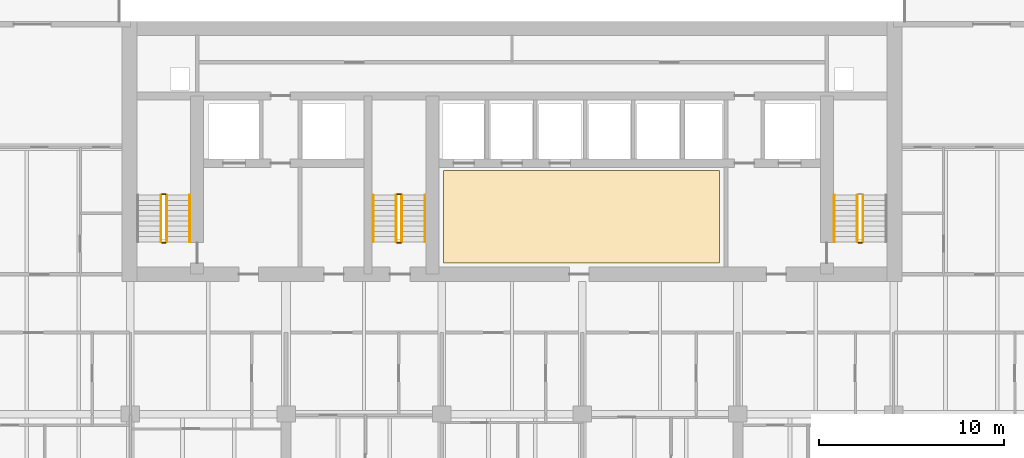
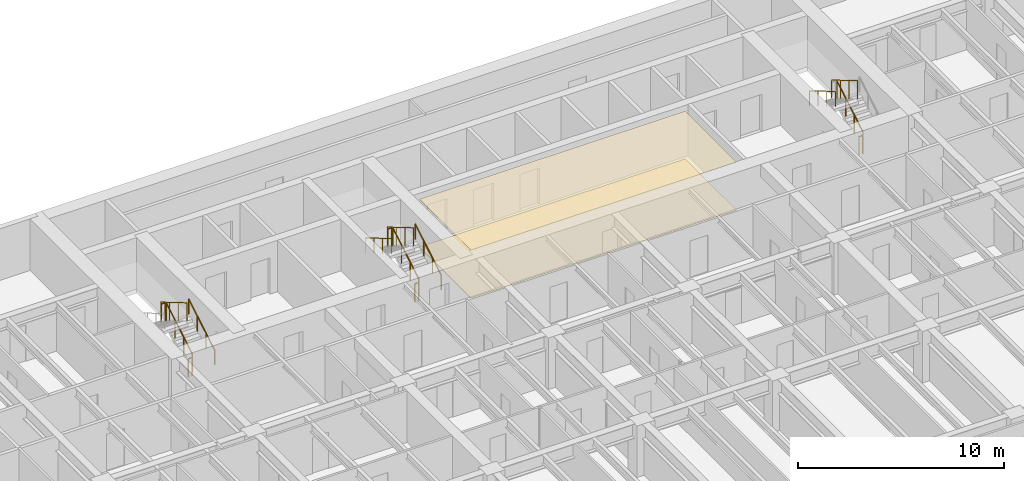
# One storey, part 17 of 19: 15 railings, 2 coverings.
"""IFC4 building model written with IfcOpenShell, lengths in metres."""

import ifcopenshell
import ifcopenshell.guid

model = None  # the IFC model being written
_history = None  # IfcOwnerHistory: only IFC2X3 demands one
_inside = {}  # id of a spatial element -> (the spatial element, [elements in it])
_under = {}  # id of a project, library or spatial element -> (it, [spatial elements below it])
_declared = {}  # id of a project -> (the project, [libraries it declares])
_typed = {}  # id of a type object -> (the type object, [elements of that type])
_made_of = {}  # id of a material, layer set ... -> (it, [elements and type objects made of it])


def new_model(schema):
    """Start an empty IFC model of exactly this schema.

    Asked for "IFC4X3", IfcOpenShell would pick the latest addendum, in which some entities
    have other attributes; the version numbers below select the first issue.
    IFC2X3 requires an IfcOwnerHistory on every rooted entity: one is made here for all.
    """
    global model, _history
    if schema == "IFC4X3":
        model = ifcopenshell.file(schema_version=(4, 3, 0, 0))
    else:
        model = ifcopenshell.file(schema=schema)
    _inside.clear()
    _under.clear()
    _declared.clear()
    _typed.clear()
    _made_of.clear()
    _history = None
    if model.schema == "IFC2X3":
        org = make("IfcOrganization", Name="unknown")
        user = make(
            "IfcPersonAndOrganization",
            ThePerson=make("IfcPerson", FamilyName="unknown"),
            TheOrganization=org,
        )
        app = make(
            "IfcApplication",
            ApplicationDeveloper=org,
            Version="unknown",
            ApplicationFullName="unknown",
            ApplicationIdentifier="unknown",
        )
        _history = make(
            "IfcOwnerHistory",
            OwningUser=user,
            OwningApplication=app,
            ChangeAction="ADDED",
            CreationDate=0,
        )
    return model


def make(cls, **values):
    """One entity of the class cls with the attributes given. An attribute that is None is left unset."""
    return model.create_entity(
        cls, **{name: value for name, value in values.items() if value is not None}
    )


def rooted(cls, **values):
    """An entity with a GlobalId (a new one), such as an element, a storey or a relation."""
    return make(cls, GlobalId=ifcopenshell.guid.new(), OwnerHistory=_history, **values)


def si_unit(unit_type, name, prefix=None):
    """IfcSIUnit, for example si_unit("LENGTHUNIT", "METRE", prefix="MILLI")."""
    return make("IfcSIUnit", UnitType=unit_type, Prefix=prefix, Name=name)


def assignment(units):
    """IfcUnitAssignment: the units of a project."""
    return None if units is None else make("IfcUnitAssignment", Units=units)


def point(xyz):
    """IfcCartesianPoint."""
    return None if xyz is None else make("IfcCartesianPoint", Coordinates=xyz)


def direction(xyz):
    """IfcDirection."""
    return None if xyz is None else make("IfcDirection", DirectionRatios=xyz)


def frame(location, z_axis=None, x_axis=None):
    """IfcAxis2Placement3D, a coordinate frame: its origin and axes. An axis left out is left unset."""
    return make(
        "IfcAxis2Placement3D",
        Location=point(location),
        Axis=direction(z_axis),
        RefDirection=direction(x_axis),
    )


def frame_2d(location, x_axis=None):
    """IfcAxis2Placement2D, a coordinate frame in the plane: its origin and x axis."""
    return make(
        "IfcAxis2Placement2D", Location=point(location), RefDirection=direction(x_axis)
    )


def origin():
    """The frame at (0, 0, 0) with its axes left unset."""
    return frame((0.0, 0.0, 0.0))


def origin_2d():
    """The frame at (0, 0) in the plane with its x axis left unset."""
    return frame_2d((0.0, 0.0))


def place(relative_to, where):
    """IfcLocalPlacement: puts the frame where relative to a parent placement (None: the world)."""
    return make(
        "IfcLocalPlacement", PlacementRelTo=relative_to, RelativePlacement=where
    )


def context(
    kind, dimensions, precision=None, world=None, true_north=None, identifier=None
):
    """IfcGeometricRepresentationContext, for example the 3D "Model" context."""
    return make(
        "IfcGeometricRepresentationContext",
        ContextIdentifier=identifier,
        ContextType=kind,
        CoordinateSpaceDimension=dimensions,
        Precision=precision,
        WorldCoordinateSystem=world,
        TrueNorth=true_north,
    )


def subcontext(parent, identifier, kind, view, scale=None):
    """IfcGeometricRepresentationSubContext, for example "Body" below "Model"."""
    return make(
        "IfcGeometricRepresentationSubContext",
        ContextIdentifier=identifier,
        ContextType=kind,
        ParentContext=parent,
        TargetScale=scale,
        TargetView=view,
    )


def project(units=None, contexts=None):
    """IfcProject with its units and contexts."""
    return rooted(
        "IfcProject",
        Name="project",
        RepresentationContexts=contexts,
        UnitsInContext=assignment(units),
    )


def spatial(cls, under=None, at=None, **own):
    """A site, building, storey or space (cls), placed at a placement, below another one or the project."""
    s = rooted(cls, ObjectPlacement=at, **own)
    if under is not None:
        _under.setdefault(under.id(), (under, []))[1].append(s)
    return s


def polyline(points):
    """IfcPolyline through the points."""
    return make("IfcPolyline", Points=[point(p) for p in points])


def profile(cls, at=None, kind="AREA", **sizes):
    """A parametric profile (cls). Its sizes go by their IFC names, for example OverallWidth=200.0."""
    return make(cls, ProfileType=kind, Position=at, **sizes)


def circle(**sizes):
    """IfcCircleProfileDef."""
    return profile("IfcCircleProfileDef", **sizes)


def outline(outer, holes=None, kind="AREA"):
    """IfcArbitraryClosedProfileDef: a profile drawn as a closed curve; with holes, ...WithVoids."""
    if holes is None:
        return make("IfcArbitraryClosedProfileDef", ProfileType=kind, OuterCurve=outer)
    return make(
        "IfcArbitraryProfileDefWithVoids",
        ProfileType=kind,
        OuterCurve=outer,
        InnerCurves=holes,
    )


def extrude(swept, where, along, depth):
    """IfcExtrudedAreaSolid: the profile swept, set in the frame where, extruded along a direction by depth."""
    return make(
        "IfcExtrudedAreaSolid",
        SweptArea=swept,
        Position=where,
        ExtrudedDirection=direction(along),
        Depth=depth,
    )


def shape(context_of_items, identifier, shape_type, items):
    """IfcShapeRepresentation: the items that make up one representation, for example the "Body"."""
    return make(
        "IfcShapeRepresentation",
        ContextOfItems=context_of_items,
        RepresentationIdentifier=identifier,
        RepresentationType=shape_type,
        Items=items,
    )


def material(Name=None, Category=None):
    """IfcMaterial."""
    return make("IfcMaterial", Name=Name, Category=Category)


def layer(
    of_material, thickness, ventilated=None, Name=None, Category=None, Priority=None
):
    """IfcMaterialLayer: one layer of a wall or slab, of a material (None: an air gap)."""
    return make(
        "IfcMaterialLayer",
        Material=of_material,
        LayerThickness=thickness,
        IsVentilated=ventilated,
        Name=Name,
        Category=Category,
        Priority=Priority,
    )


def layer_set(layers, Name=None):
    """IfcMaterialLayerSet."""
    return make("IfcMaterialLayerSet", MaterialLayers=layers, LayerSetName=Name)


def made_of(thing, what):
    """Note that an element or type object is made of a material, layer set ...; save() writes the relation."""
    if what is not None:
        _made_of.setdefault(what.id(), (what, []))[1].append(thing)
    return thing


def type_object(cls, material=None, **own):
    """A type object (cls), such as IfcWallType, which elements share."""
    return made_of(rooted(cls, **own), material)


def element(
    cls,
    number,
    at=None,
    inside=None,
    cuts=None,
    type_object=None,
    material=None,
    context=None,
    identifier="Body",
    shape_type=None,
    held_by="IfcProductDefinitionShape",
    body=None,
    shapes=None,
    **own,
):
    """One element of the class cls, such as IfcWall. Its Tag is "e" and its number.

    at: its placement. inside: the storey or other place that contains it. cuts: it is an
    opening in that element (IfcRelVoidsElement). A single representation is given by context,
    identifier, shape_type and body (its items); several are given by shapes. held_by: the class
    of the entity that holds the representations. save() writes the other relations.
    """
    e = rooted(cls, Tag="e%d" % number, ObjectPlacement=at, **own)
    if body is not None:
        shapes = [shape(context, identifier, shape_type, body)]
    if shapes is not None:
        e.Representation = make(held_by, Representations=shapes)
    if inside is not None:
        _inside.setdefault(inside.id(), (inside, []))[1].append(e)
    if cuts is not None:
        rooted(
            "IfcRelVoidsElement", RelatingBuildingElement=cuts, RelatedOpeningElement=e
        )
    if type_object is not None:
        _typed.setdefault(type_object.id(), (type_object, []))[1].append(e)
    return made_of(e, material)


def aggregate(whole, parts):
    """IfcRelAggregates: a whole, such as a stair, and the parts it consists of."""
    return rooted("IfcRelAggregates", RelatingObject=whole, RelatedObjects=parts)


def save(model, path):
    """Write the relations noted so far, then the file.

    IfcRelAggregates (storeys below a building ...), IfcRelContainedInSpatialStructure (elements
    in a storey), IfcRelDefinesByType, IfcRelAssociatesMaterial and IfcRelDeclares: one each for
    every whole, place, type object, material and project.
    """
    for whole, parts in _under.values():
        aggregate(whole, parts)
    for where, things in _inside.values():
        rooted(
            "IfcRelContainedInSpatialStructure",
            RelatedElements=things,
            RelatingStructure=where,
        )
    for kind, things in _typed.values():
        rooted("IfcRelDefinesByType", RelatedObjects=things, RelatingType=kind)
    for what, things in _made_of.values():
        rooted("IfcRelAssociatesMaterial", RelatedObjects=things, RelatingMaterial=what)
    for by, libraries in _declared.values():
        rooted("IfcRelDeclares", RelatingContext=by, RelatedDefinitions=libraries)
    model.write(path)


model = new_model("IFC4")

# Units and contexts
model_context = context("Model", 3, precision=1e-05, world=origin(), true_north=direction((0.0, 1.0)))
body_context = subcontext(model_context, "Body", "Model", "MODEL_VIEW")
ifc_project = project(units=[si_unit("LENGTHUNIT", "METRE"), si_unit("AREAUNIT", "SQUARE_METRE"), si_unit("VOLUMEUNIT", "CUBIC_METRE"), si_unit("PLANEANGLEUNIT", "RADIAN"), si_unit("MASSUNIT", "GRAM", prefix="KILO")], contexts=[model_context])

# Site, building, storey
site_placement = place(None, origin())
site = spatial("IfcSite", under=ifc_project, at=site_placement, CompositionType="ELEMENT")
building_placement = place(site_placement, origin())
building = spatial("IfcBuilding", under=site, at=building_placement, Name="Caelmar Bay Residences", CompositionType="ELEMENT")
storey_placement = place(building_placement, frame((0.0, 0.0, 91.199951171875)))
storey = spatial("IfcBuildingStorey", under=building, at=storey_placement, Name="L24", CompositionType="ELEMENT", Elevation=91.199951171875)

# Coverings
ifc_material_1 = material(Name="Perforated acoustic gypsum-mineral ceiling tile 20 mm")
ifc_layer_1 = layer(ifc_material_1, 0.02001953125)
ifc_layer_set_1 = layer_set([ifc_layer_1], Name="Perforated acoustic gypsum-mineral ceiling tile 20 mm")
covering_type_1 = type_object("IfcCoveringType", Name="COV-CEIL-20", PredefinedType="CEILING", material=ifc_layer_set_1)
covering_1_placement = place(storey_placement, frame((0.0, 0.0, 2.830078125)))
element("IfcCovering", 1, at=covering_1_placement, inside=storey, type_object=covering_type_1, Name="L24 Lift Lobby Acoustic Ceiling", PredefinedType="CEILING", context=body_context, shape_type="SweptSolid", body=[
    extrude(outline(polyline([(35.199951171875, 37.550048828125), (50.10009765625, 37.550048828125), (50.10009765625, 42.550048828125), (35.199951171875, 42.550048828125), (35.199951171875, 37.550048828125)])), origin(), (0.0, 0.0, 1.0), 0.02001953125),
])
ifc_material_2 = material(Name="Honed terrazzo and engineered white-oak flooring 20 mm")
ifc_layer_2 = layer(ifc_material_2, 0.02001953125)
ifc_layer_set_2 = layer_set([ifc_layer_2], Name="Honed terrazzo and engineered white-oak flooring 20 mm")
covering_type_2 = type_object("IfcCoveringType", Name="COV-FLR-20", PredefinedType="FLOORING", material=ifc_layer_set_2)
covering_2_placement = place(storey_placement, origin())
element("IfcCovering", 2, at=covering_2_placement, inside=storey, type_object=covering_type_2, Name="L24 Lift Lobby Terrazzo Flooring", PredefinedType="FLOORING", context=body_context, shape_type="SweptSolid", body=[
    extrude(outline(polyline([(35.199951171875, 37.550048828125), (50.10009765625, 37.550048828125), (50.10009765625, 42.550048828125), (35.199951171875, 42.550048828125), (35.199951171875, 37.550048828125)])), origin(), (0.0, 0.0, 1.0), 0.02001953125),
])

# Railings
ifc_material_3 = material(Name="Painted galvanized steel stair guard 1100 mm", Category="steel")
railing_type_1 = type_object("IfcRailingType", Name="RL-GRD-1100", PredefinedType="GUARDRAIL", material=ifc_material_3)
railing_1_placement = place(storey_placement, frame((20.25, 38.699951171875, 0.1650390625)))
element("IfcRailing", 3, at=railing_1_placement, inside=storey, type_object=railing_type_1, Name="L24 ST1 stair guard 1", PredefinedType="GUARDRAIL", context=body_context, shape_type="SweptSolid", body=[
    extrude(circle(Radius=0.02392578125, at=origin_2d()), frame((0.0, 0.0, 1.076171875), z_axis=(0.0, 0.86152411907, 0.507716645641), x_axis=(-1.0, 0.0, 0.0)), (0.0, 0.0, 1.0), 2.925048828125),
    extrude(circle(Radius=0.02099609375, at=origin_2d()), origin(), (0.0, 0.0, 1.0), 1.052001953125),
    extrude(circle(Radius=0.02099609375, at=origin_2d()), frame((0.0, 0.840087890625, 0.4951171875)), (0.0, 0.0, 1.0), 1.052001953125),
    extrude(circle(Radius=0.02099609375, at=origin_2d()), frame((0.0, 1.679931640625, 0.989990234375)), (0.0, 0.0, 1.0), 1.052001953125),
    extrude(circle(Radius=0.02099609375, at=origin_2d()), frame((0.0, 2.52001953125, 1.485107421875)), (0.0, 0.0, 1.0), 1.052001953125),
])
railing_2_placement = place(storey_placement, frame((20.199951171875, 41.27001953125, 1.650146484375)))
element("IfcRailing", 4, at=railing_2_placement, inside=storey, type_object=railing_type_1, Name="L24 ST1 stair guard 2", PredefinedType="GUARDRAIL", context=body_context, shape_type="SweptSolid", body=[
    extrude(circle(Radius=0.02392578125, at=origin_2d()), frame((0.0, 0.0, 1.076171875), z_axis=(-1.0, 0.0, 0.0), x_axis=(0.0, -1.0, 0.0)), (0.0, 0.0, 1.0), 0.199951171875),
    extrude(circle(Radius=0.02099609375, at=origin_2d()), origin(), (0.0, 0.0, 1.0), 1.052001953125),
    extrude(circle(Radius=0.02099609375, at=origin_2d()), frame((-0.199951171875, 0.0, 0.0)), (0.0, 0.0, 1.0), 1.052001953125),
])
railing_3_placement = place(storey_placement, frame((19.949951171875, 41.219970703125, 1.81494140625)))
element("IfcRailing", 5, at=railing_3_placement, inside=storey, type_object=railing_type_1, Name="L24 ST1 stair guard 3", PredefinedType="GUARDRAIL", context=body_context, shape_type="SweptSolid", body=[
    extrude(circle(Radius=0.02392578125, at=origin_2d()), frame((0.0, 0.0, 1.076171875), z_axis=(0.0, -0.86152411907, 0.507716645641), x_axis=(1.0, 0.0, 0.0)), (0.0, 0.0, 1.0), 2.925048828125),
    extrude(circle(Radius=0.02099609375, at=origin_2d()), origin(), (0.0, 0.0, 1.0), 1.052001953125),
    extrude(circle(Radius=0.02099609375, at=origin_2d()), frame((0.0, -0.840087890625, 0.4951171875)), (0.0, 0.0, 1.0), 1.052001953125),
    extrude(circle(Radius=0.02099609375, at=origin_2d()), frame((0.0, -1.679931640625, 0.989990234375)), (0.0, 0.0, 1.0), 1.052001953125),
    extrude(circle(Radius=0.02099609375, at=origin_2d()), frame((0.0, -2.52001953125, 1.485107421875)), (0.0, 0.0, 1.0), 1.052001953125),
])
railing_4_placement = place(storey_placement, frame((20.199951171875, 38.64990234375, 0.0)))
element("IfcRailing", 6, at=railing_4_placement, inside=storey, type_object=railing_type_1, Name="L24 ST1 stair guard 4", PredefinedType="GUARDRAIL", context=body_context, shape_type="SweptSolid", body=[
    extrude(circle(Radius=0.02392578125, at=origin_2d()), frame((0.0, 0.0, 1.076171875), z_axis=(-1.0, 0.0, 0.0), x_axis=(0.0, -1.0, 0.0)), (0.0, 0.0, 1.0), 0.199951171875),
    extrude(circle(Radius=0.02099609375, at=origin_2d()), origin(), (0.0, 0.0, 1.0), 1.052001953125),
    extrude(circle(Radius=0.02099609375, at=origin_2d()), frame((-0.199951171875, 0.0, 0.0)), (0.0, 0.0, 1.0), 1.052001953125),
])
railing_5_placement = place(storey_placement, frame((57.85009765625, 38.699951171875, 0.1650390625)))
element("IfcRailing", 7, at=railing_5_placement, inside=storey, type_object=railing_type_1, Name="L24 ST2 stair guard 1", PredefinedType="GUARDRAIL", context=body_context, shape_type="SweptSolid", body=[
    extrude(circle(Radius=0.02392578125, at=origin_2d()), frame((0.0, 0.0, 1.076171875), z_axis=(0.0, 0.86152411907, 0.507716645641), x_axis=(-1.0, 0.0, 0.0)), (0.0, 0.0, 1.0), 2.925048828125),
    extrude(circle(Radius=0.02099609375, at=origin_2d()), origin(), (0.0, 0.0, 1.0), 1.052001953125),
    extrude(circle(Radius=0.02099609375, at=origin_2d()), frame((0.0, 0.840087890625, 0.4951171875)), (0.0, 0.0, 1.0), 1.052001953125),
    extrude(circle(Radius=0.02099609375, at=origin_2d()), frame((0.0, 1.679931640625, 0.989990234375)), (0.0, 0.0, 1.0), 1.052001953125),
    extrude(circle(Radius=0.02099609375, at=origin_2d()), frame((0.0, 2.52001953125, 1.485107421875)), (0.0, 0.0, 1.0), 1.052001953125),
])
railing_6_placement = place(storey_placement, frame((57.550048828125, 41.219970703125, 1.81494140625)))
element("IfcRailing", 8, at=railing_6_placement, inside=storey, type_object=railing_type_1, Name="L24 ST2 stair guard 3", PredefinedType="GUARDRAIL", context=body_context, shape_type="SweptSolid", body=[
    extrude(circle(Radius=0.02392578125, at=origin_2d()), frame((0.0, 0.0, 1.076171875), z_axis=(0.0, -0.86152411907, 0.507716645641), x_axis=(1.0, 0.0, 0.0)), (0.0, 0.0, 1.0), 2.925048828125),
    extrude(circle(Radius=0.02099609375, at=origin_2d()), origin(), (0.0, 0.0, 1.0), 1.052001953125),
    extrude(circle(Radius=0.02099609375, at=origin_2d()), frame((0.0, -0.840087890625, 0.4951171875)), (0.0, 0.0, 1.0), 1.052001953125),
    extrude(circle(Radius=0.02099609375, at=origin_2d()), frame((0.0, -1.679931640625, 0.989990234375)), (0.0, 0.0, 1.0), 1.052001953125),
    extrude(circle(Radius=0.02099609375, at=origin_2d()), frame((0.0, -2.52001953125, 1.485107421875)), (0.0, 0.0, 1.0), 1.052001953125),
])
railing_7_placement = place(storey_placement, frame((57.800048828125, 38.64990234375, 0.0)))
element("IfcRailing", 9, at=railing_7_placement, inside=storey, type_object=railing_type_1, Name="L24 ST2 stair guard 4", PredefinedType="GUARDRAIL", context=body_context, shape_type="SweptSolid", body=[
    extrude(circle(Radius=0.02392578125, at=origin_2d()), frame((0.0, 0.0, 1.076171875), z_axis=(-1.0, 0.0, 0.0), x_axis=(0.0, -1.0, 0.0)), (0.0, 0.0, 1.0), 0.199951171875),
    extrude(circle(Radius=0.02099609375, at=origin_2d()), origin(), (0.0, 0.0, 1.0), 1.052001953125),
    extrude(circle(Radius=0.02099609375, at=origin_2d()), frame((-0.199951171875, 0.0, 0.0)), (0.0, 0.0, 1.0), 1.052001953125),
])
railing_8_placement = place(storey_placement, frame((32.949951171875, 38.699951171875, 0.1650390625)))
element("IfcRailing", 10, at=railing_8_placement, inside=storey, type_object=railing_type_1, Name="L24 ST3 stair guard 1", PredefinedType="GUARDRAIL", context=body_context, shape_type="SweptSolid", body=[
    extrude(circle(Radius=0.02392578125, at=origin_2d()), frame((0.0, 0.0, 1.076171875), z_axis=(0.0, 0.86152411907, 0.507716645641), x_axis=(-1.0, 0.0, 0.0)), (0.0, 0.0, 1.0), 2.925048828125),
    extrude(circle(Radius=0.02099609375, at=origin_2d()), origin(), (0.0, 0.0, 1.0), 1.052001953125),
    extrude(circle(Radius=0.02099609375, at=origin_2d()), frame((0.0, 0.840087890625, 0.4951171875)), (0.0, 0.0, 1.0), 1.052001953125),
    extrude(circle(Radius=0.02099609375, at=origin_2d()), frame((0.0, 1.679931640625, 0.989990234375)), (0.0, 0.0, 1.0), 1.052001953125),
    extrude(circle(Radius=0.02099609375, at=origin_2d()), frame((0.0, 2.52001953125, 1.485107421875)), (0.0, 0.0, 1.0), 1.052001953125),
])
railing_9_placement = place(storey_placement, frame((32.89990234375, 41.27001953125, 1.650146484375)))
element("IfcRailing", 11, at=railing_9_placement, inside=storey, type_object=railing_type_1, Name="L24 ST3 stair guard 2", PredefinedType="GUARDRAIL", context=body_context, shape_type="SweptSolid", body=[
    extrude(circle(Radius=0.02392578125, at=origin_2d()), frame((0.0, 0.0, 1.076171875), z_axis=(-1.0, 0.0, 0.0), x_axis=(0.0, -1.0, 0.0)), (0.0, 0.0, 1.0), 0.199951171875),
    extrude(circle(Radius=0.02099609375, at=origin_2d()), origin(), (0.0, 0.0, 1.0), 1.052001953125),
    extrude(circle(Radius=0.02099609375, at=origin_2d()), frame((-0.199951171875, 0.0, 0.0)), (0.0, 0.0, 1.0), 1.052001953125),
])
railing_10_placement = place(storey_placement, frame((32.64990234375, 41.219970703125, 1.81494140625)))
element("IfcRailing", 12, at=railing_10_placement, inside=storey, type_object=railing_type_1, Name="L24 ST3 stair guard 3", PredefinedType="GUARDRAIL", context=body_context, shape_type="SweptSolid", body=[
    extrude(circle(Radius=0.02392578125, at=origin_2d()), frame((0.0, 0.0, 1.076171875), z_axis=(0.0, -0.86152411907, 0.507716645641), x_axis=(1.0, 0.0, 0.0)), (0.0, 0.0, 1.0), 2.925048828125),
    extrude(circle(Radius=0.02099609375, at=origin_2d()), origin(), (0.0, 0.0, 1.0), 1.052001953125),
    extrude(circle(Radius=0.02099609375, at=origin_2d()), frame((0.0, -0.840087890625, 0.4951171875)), (0.0, 0.0, 1.0), 1.052001953125),
    extrude(circle(Radius=0.02099609375, at=origin_2d()), frame((0.0, -1.679931640625, 0.989990234375)), (0.0, 0.0, 1.0), 1.052001953125),
    extrude(circle(Radius=0.02099609375, at=origin_2d()), frame((0.0, -2.52001953125, 1.485107421875)), (0.0, 0.0, 1.0), 1.052001953125),
])
railing_11_placement = place(storey_placement, frame((32.89990234375, 38.64990234375, 0.0)))
element("IfcRailing", 13, at=railing_11_placement, inside=storey, type_object=railing_type_1, Name="L24 ST3 stair guard 4", PredefinedType="GUARDRAIL", context=body_context, shape_type="SweptSolid", body=[
    extrude(circle(Radius=0.02392578125, at=origin_2d()), frame((0.0, 0.0, 1.076171875), z_axis=(-1.0, 0.0, 0.0), x_axis=(0.0, -1.0, 0.0)), (0.0, 0.0, 1.0), 0.199951171875),
    extrude(circle(Radius=0.02099609375, at=origin_2d()), origin(), (0.0, 0.0, 1.0), 1.052001953125),
    extrude(circle(Radius=0.02099609375, at=origin_2d()), frame((-0.199951171875, 0.0, 0.0)), (0.0, 0.0, 1.0), 1.052001953125),
])
ifc_material_4 = material(Name="Brushed bronze stainless-steel tubular handrail 900 mm", Category="steel")
railing_type_2 = type_object("IfcRailingType", Name="RL-HND-900", PredefinedType="HANDRAIL", material=ifc_material_4)
railing_12_placement = place(storey_placement, frame((21.5, 38.699951171875, 0.1650390625)))
element("IfcRailing", 14, at=railing_12_placement, inside=storey, type_object=railing_type_2, Name="L24 ST1 stair handrail 1", PredefinedType="HANDRAIL", context=body_context, shape_type="SweptSolid", body=[
    extrude(circle(Radius=0.02392578125, at=origin_2d()), frame((0.0, 0.0, 0.8759765625), z_axis=(0.0, 0.86152411907, 0.507716645641), x_axis=(-1.0, 0.0, 0.0)), (0.0, 0.0, 1.0), 2.925048828125),
    extrude(circle(Radius=0.02099609375, at=origin_2d()), origin(), (0.0, 0.0, 1.0), 0.851806640625),
    extrude(circle(Radius=0.02099609375, at=origin_2d()), frame((0.0, 0.840087890625, 0.4951171875)), (0.0, 0.0, 1.0), 0.851806640625),
    extrude(circle(Radius=0.02099609375, at=origin_2d()), frame((0.0, 1.679931640625, 0.989990234375)), (0.0, 0.0, 1.0), 0.851806640625),
    extrude(circle(Radius=0.02099609375, at=origin_2d()), frame((0.0, 2.52001953125, 1.485107421875)), (0.0, 0.0, 1.0), 0.851806640625),
])
railing_13_placement = place(storey_placement, frame((56.300048828125, 41.219970703125, 1.81494140625)))
element("IfcRailing", 15, at=railing_13_placement, inside=storey, type_object=railing_type_2, Name="L24 ST2 stair handrail 2", PredefinedType="HANDRAIL", context=body_context, shape_type="SweptSolid", body=[
    extrude(circle(Radius=0.02392578125, at=origin_2d()), frame((0.0, 0.0, 0.8759765625), z_axis=(0.0, -0.86152411907, 0.507716645641), x_axis=(1.0, 0.0, 0.0)), (0.0, 0.0, 1.0), 2.925048828125),
    extrude(circle(Radius=0.02099609375, at=origin_2d()), origin(), (0.0, 0.0, 1.0), 0.851806640625),
    extrude(circle(Radius=0.02099609375, at=origin_2d()), frame((0.0, -0.840087890625, 0.4951171875)), (0.0, 0.0, 1.0), 0.851806640625),
    extrude(circle(Radius=0.02099609375, at=origin_2d()), frame((0.0, -1.679931640625, 0.989990234375)), (0.0, 0.0, 1.0), 0.851806640625),
    extrude(circle(Radius=0.02099609375, at=origin_2d()), frame((0.0, -2.52001953125, 1.485107421875)), (0.0, 0.0, 1.0), 0.851806640625),
])
railing_14_placement = place(storey_placement, frame((34.199951171875, 38.699951171875, 0.1650390625)))
element("IfcRailing", 16, at=railing_14_placement, inside=storey, type_object=railing_type_2, Name="L24 ST3 stair handrail 1", PredefinedType="HANDRAIL", context=body_context, shape_type="SweptSolid", body=[
    extrude(circle(Radius=0.02392578125, at=origin_2d()), frame((0.0, 0.0, 0.8759765625), z_axis=(0.0, 0.86152411907, 0.507716645641), x_axis=(-1.0, 0.0, 0.0)), (0.0, 0.0, 1.0), 2.925048828125),
    extrude(circle(Radius=0.02099609375, at=origin_2d()), origin(), (0.0, 0.0, 1.0), 0.851806640625),
    extrude(circle(Radius=0.02099609375, at=origin_2d()), frame((0.0, 0.840087890625, 0.4951171875)), (0.0, 0.0, 1.0), 0.851806640625),
    extrude(circle(Radius=0.02099609375, at=origin_2d()), frame((0.0, 1.679931640625, 0.989990234375)), (0.0, 0.0, 1.0), 0.851806640625),
    extrude(circle(Radius=0.02099609375, at=origin_2d()), frame((0.0, 2.52001953125, 1.485107421875)), (0.0, 0.0, 1.0), 0.851806640625),
])
railing_15_placement = place(storey_placement, frame((31.39990234375, 41.219970703125, 1.81494140625)))
element("IfcRailing", 17, at=railing_15_placement, inside=storey, type_object=railing_type_2, Name="L24 ST3 stair handrail 2", PredefinedType="HANDRAIL", context=body_context, shape_type="SweptSolid", body=[
    extrude(circle(Radius=0.02392578125, at=origin_2d()), frame((0.0, 0.0, 0.8759765625), z_axis=(0.0, -0.86152411907, 0.507716645641), x_axis=(1.0, 0.0, 0.0)), (0.0, 0.0, 1.0), 2.925048828125),
    extrude(circle(Radius=0.02099609375, at=origin_2d()), origin(), (0.0, 0.0, 1.0), 0.851806640625),
    extrude(circle(Radius=0.02099609375, at=origin_2d()), frame((0.0, -0.840087890625, 0.4951171875)), (0.0, 0.0, 1.0), 0.851806640625),
    extrude(circle(Radius=0.02099609375, at=origin_2d()), frame((0.0, -1.679931640625, 0.989990234375)), (0.0, 0.0, 1.0), 0.851806640625),
    extrude(circle(Radius=0.02099609375, at=origin_2d()), frame((0.0, -2.52001953125, 1.485107421875)), (0.0, 0.0, 1.0), 0.851806640625),
])

save(model, "model.ifc")
